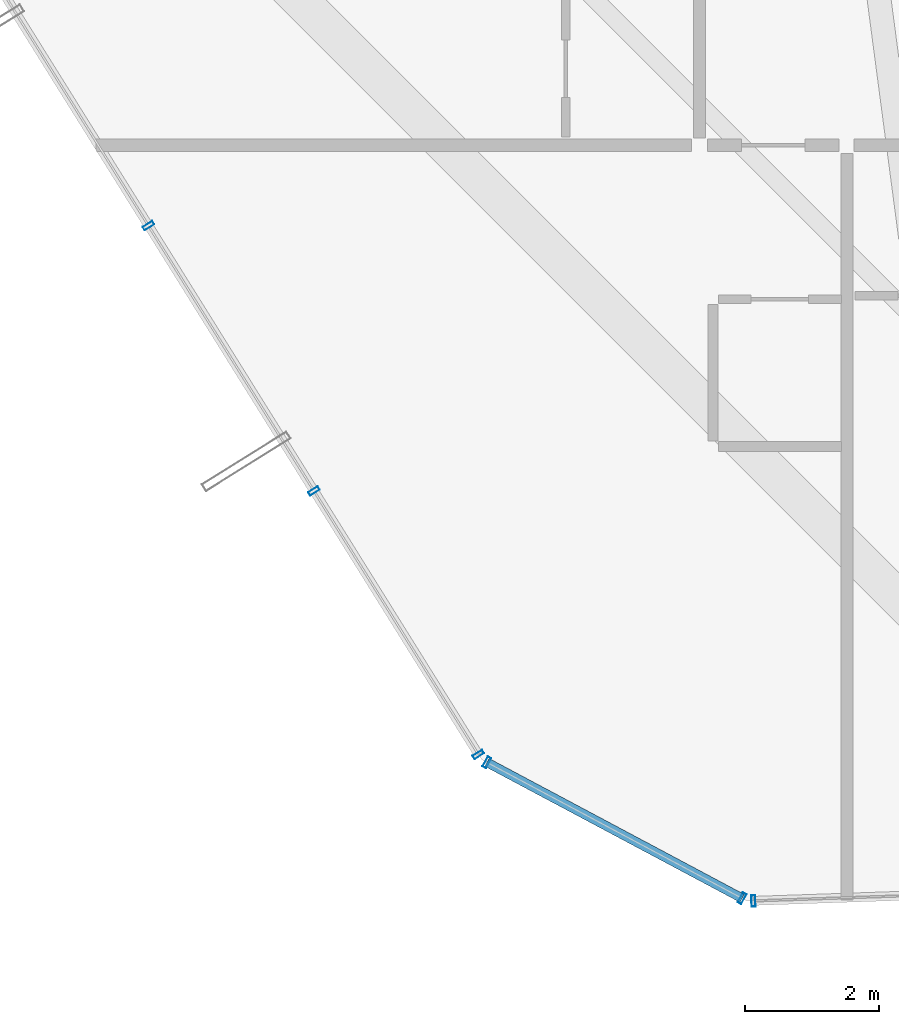
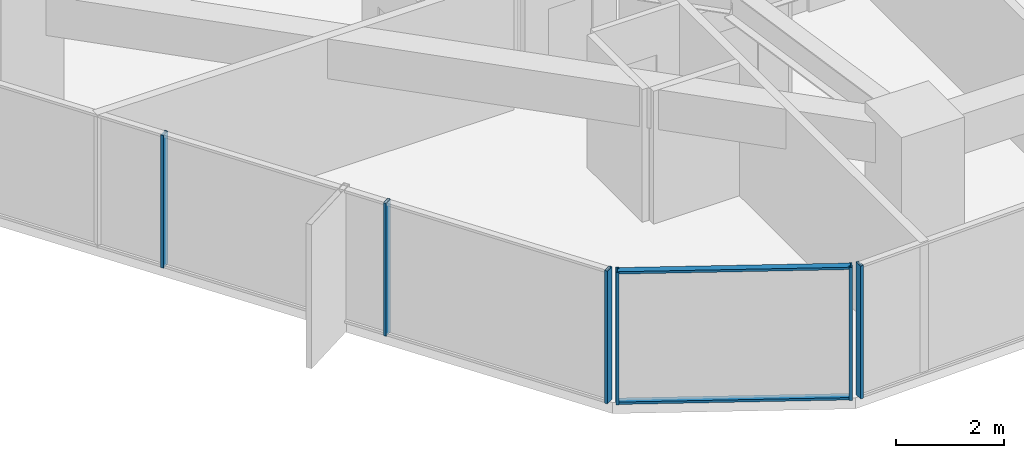
# One storey, part 2 of 39: 8 members, 3 elements without a shape of their own.
"""IFC4 building model written with IfcOpenShell, lengths in metres."""

from ifc_helpers import new_model, si_unit, direction, frame, origin, origin_2d, place, context, subcontext, project, spatial, hollow_rectangle, extrude, source, transform, mapped, material, layer, layer_set, material_profile, profile_set, type_object, element, aggregate, save


model = new_model("IFC4")

# Units and contexts
model_context = context("Model", 3, precision=1e-05, world=origin(), true_north=direction((0.0, 1.0)))
body_context = subcontext(model_context, "Body", "Model", "MODEL_VIEW")
ifc_project = project(units=[si_unit("LENGTHUNIT", "METRE"), si_unit("AREAUNIT", "SQUARE_METRE"), si_unit("VOLUMEUNIT", "CUBIC_METRE"), si_unit("PLANEANGLEUNIT", "RADIAN"), si_unit("MASSUNIT", "GRAM", prefix="KILO")], contexts=[model_context])

# Site, building, storey
site_placement = place(None, origin())
site = spatial("IfcSite", under=ifc_project, at=site_placement, CompositionType="ELEMENT")
building_placement = place(site_placement, origin())
building = spatial("IfcBuilding", under=site, at=building_placement, Name="Veraguas Prism Commons", CompositionType="ELEMENT")
storey_placement = place(building_placement, frame((0.0, 0.0, 30.550048828125)))
storey = spatial("IfcBuildingStorey", under=building, at=storey_placement, Name="L07", CompositionType="ELEMENT", Elevation=30.550048828125)

# Curtain wall, members
ifc_material = material(Name="Anodised aluminium EN AW-6063 T6", Category="aluminium")
ifc_layer = layer(ifc_material, 0.169921875, Name="Unitised Flush Curtain Wall Zone 1", Category="aluminium")
ifc_layer_set = layer_set([ifc_layer], Name="Anodised aluminium EN AW-6063 T6")
curtain_wall_type = type_object("IfcCurtainWallType", Name="Unitised Flush Curtain Wall Zone 1", PredefinedType="NOTDEFINED", material=ifc_layer_set)
curtain_wall_1_placement = place(storey_placement, origin())
curtain_wall_1 = element("IfcCurtainWall", 1, at=curtain_wall_1_placement, inside=storey, type_object=curtain_wall_type, Name="Chamfer Curtain Wall L07-C5", PredefinedType="NOTDEFINED")
ifc_material_profile_1 = material_profile(ifc_material, hollow_rectangle(XDim=0.054931640625, YDim=0.135009765625, WallThickness=0.0029296875, at=origin_2d()), Name="AL55X135X3")
ifc_profile_set_1 = profile_set([ifc_material_profile_1], Name="Anodised aluminium EN AW-6063 T6")
member_type_1 = type_object("IfcMemberType", Name="Curtain Wall Transom Standard AL 55x135x3", PredefinedType="USERDEFINED", material=ifc_profile_set_1)
shared_shape_1 = source(origin(), body_context, "Body", "SweptSolid", [
    extrude(hollow_rectangle(XDim=0.054931640625, YDim=0.135009765625, WallThickness=0.0029296875, at=origin_2d()), origin(), (0.0, 0.0, 1.0), 4.31982421875),
])
member_1_placement = place(storey_placement, frame((11.422119140625, 4.97900390625, 0.02734375), z_axis=(0.882612507263, -0.470101225294, 0.0), x_axis=(0.0, 0.0, 1.0)))
member_1 = element("IfcMember", 2, at=member_1_placement, type_object=member_type_1, Name="CW-Z1 Transom 1", ObjectType="TRANSOM", PredefinedType="USERDEFINED", context=body_context, shape_type="MappedRepresentation", body=[
    mapped(shared_shape_1, transform((0.0, 0.0, 0.0), scale=1.0)),
])
member_2_placement = place(storey_placement, frame((11.422119140625, 4.97900390625, 2.972412109375), z_axis=(0.882612507263, -0.470101225294, 0.0), x_axis=(0.0, 0.0, 1.0)))
member_2 = element("IfcMember", 3, at=member_2_placement, type_object=member_type_1, Name="CW-Z1 Transom 2", ObjectType="TRANSOM", PredefinedType="USERDEFINED", context=body_context, shape_type="MappedRepresentation", body=[
    mapped(shared_shape_1, transform((0.0, 0.0, 0.0), scale=1.0)),
])

curtain_wall_2_placement = place(storey_placement, origin())
curtain_wall_2 = element("IfcCurtainWall", 4, at=curtain_wall_2_placement, inside=storey, type_object=curtain_wall_type, Name="Tower Facade Curtain Wall L07-F4", PredefinedType="NOTDEFINED")
ifc_material_profile_2 = material_profile(ifc_material, hollow_rectangle(XDim=0.06005859375, YDim=0.169921875, WallThickness=0.00390625, at=origin_2d()), Name="AL60X170X4")
ifc_profile_set_2 = profile_set([ifc_material_profile_2], Name="Anodised aluminium EN AW-6063 T6")
member_type_2 = type_object("IfcMemberType", Name="Curtain Wall Mullion Lower AL 60x170x4", PredefinedType="MULLION", material=ifc_profile_set_2)
shared_shape_2 = source(origin(), body_context, "Body", "SweptSolid", [
    extrude(hollow_rectangle(XDim=0.06005859375, YDim=0.169921875, WallThickness=0.00390625, at=origin_2d()), origin(), (0.0, 0.0, 1.0), 3.0),
])
member_3_placement = place(storey_placement, frame((6.365966796875, 12.998046875, 0.0), z_axis=(0.0, 0.0, 1.0), x_axis=(0.529324124343, -0.848419690594, 0.0)))
member_3 = element("IfcMember", 5, at=member_3_placement, type_object=member_type_2, Name="CW-Z1 Mullion 3", PredefinedType="MULLION", context=body_context, shape_type="MappedRepresentation", body=[
    mapped(shared_shape_2, transform((0.0, 0.0, 0.0), scale=1.0)),
])
member_4_placement = place(storey_placement, frame((8.83837890625, 9.03515625, 0.0), z_axis=(0.0, 0.0, 1.0), x_axis=(0.529324124343, -0.848419690594, 0.0)))
member_4 = element("IfcMember", 6, at=member_4_placement, type_object=member_type_2, Name="CW-Z1 Mullion 4", PredefinedType="MULLION", context=body_context, shape_type="MappedRepresentation", body=[
    mapped(shared_shape_2, transform((0.0, 0.0, 0.0), scale=1.0)),
])
member_5_placement = place(storey_placement, frame((11.294921875, 5.09765625, 0.0), z_axis=(0.0, 0.0, 1.0), x_axis=(0.529324124343, -0.848419690594, 0.0)))
member_5 = element("IfcMember", 7, at=member_5_placement, type_object=member_type_2, Name="CW-Z1 Mullion 5", PredefinedType="MULLION", context=body_context, shape_type="MappedRepresentation", body=[
    mapped(shared_shape_2, transform((0.0, 0.0, 0.0), scale=1.0)),
])
aggregate(curtain_wall_2, [member_3, member_4, member_5])

# Curtain wall, member
curtain_wall_3_placement = place(storey_placement, origin())
curtain_wall_3 = element("IfcCurtainWall", 8, at=curtain_wall_3_placement, inside=storey, type_object=curtain_wall_type, Name="Tower Facade Curtain Wall L07-F5", PredefinedType="NOTDEFINED")
member_6_placement = place(storey_placement, frame((15.404296875, 2.9091796875, 0.0), z_axis=(0.0, 0.0, 1.0), x_axis=(0.999415186666, 0.034194804603, 0.0)))
member_6 = element("IfcMember", 9, at=member_6_placement, type_object=member_type_2, Name="CW-Z1 Mullion 1", PredefinedType="MULLION", context=body_context, shape_type="MappedRepresentation", body=[
    mapped(shared_shape_2, transform((0.0, 0.0, 0.0), scale=1.0)),
])
aggregate(curtain_wall_3, [member_6])

# Member
member_7_placement = place(storey_placement, frame((11.422119140625, 4.97900390625, 0.0), z_axis=(0.0, 0.0, 1.0), x_axis=(0.882609779045, -0.470106347472, 0.0)))
member_7 = element("IfcMember", 10, at=member_7_placement, type_object=member_type_2, Name="CW-Z1 Mullion 1", PredefinedType="MULLION", context=body_context, shape_type="MappedRepresentation", body=[
    mapped(shared_shape_2, transform((0.0, 0.0, 0.0), scale=1.0)),
])

member_8_placement = place(storey_placement, frame((15.23486328125, 2.9482421875, 0.0), z_axis=(0.0, 0.0, 1.0), x_axis=(0.882609779045, -0.470106347472, 0.0)))
member_8 = element("IfcMember", 11, at=member_8_placement, type_object=member_type_2, Name="CW-Z1 Mullion 2", PredefinedType="MULLION", context=body_context, shape_type="MappedRepresentation", body=[
    mapped(shared_shape_2, transform((0.0, 0.0, 0.0), scale=1.0)),
])

aggregate(curtain_wall_1, [member_7, member_8, member_1, member_2])

save(model, "model.ifc")
